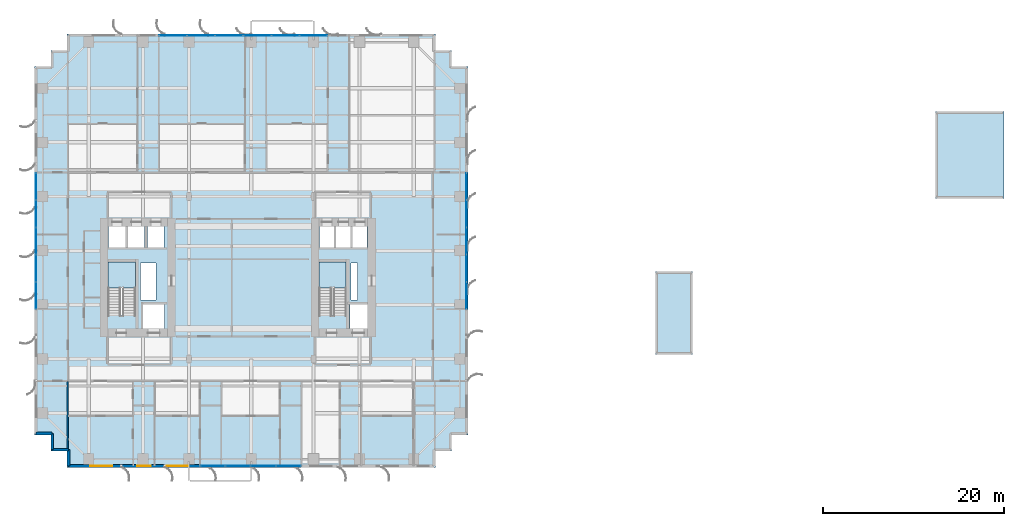
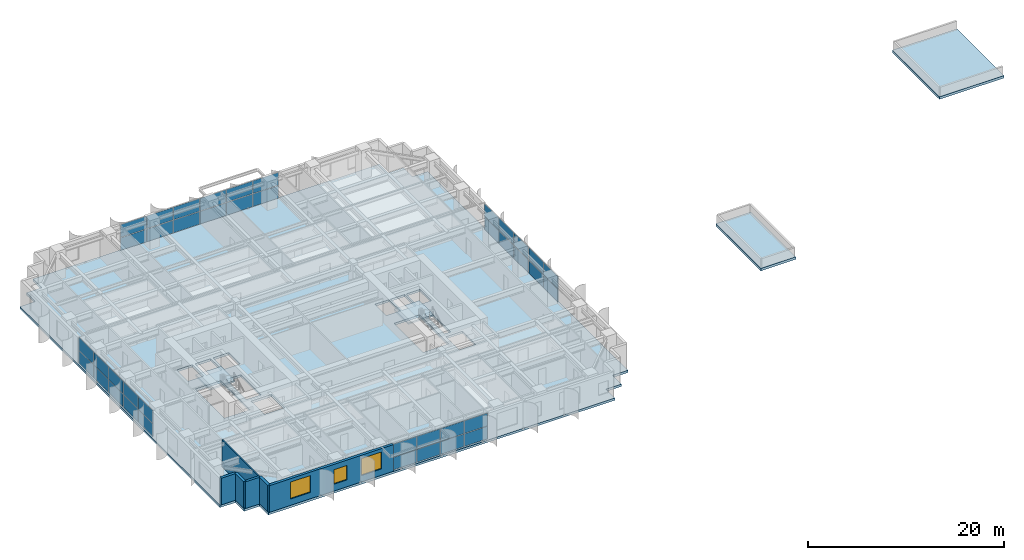
# One storey, part 15 of 26: 40 plates, 6 walls, 5 slabs, 3 windows, 3 openings, 6 elements without a shape of their own.
"""IFC4 building model written with IfcOpenShell, lengths in metres."""

import ifcopenshell
import ifcopenshell.guid

model = None  # the IFC model being written
_history = None  # IfcOwnerHistory: only IFC2X3 demands one
_inside = {}  # id of a spatial element -> (the spatial element, [elements in it])
_under = {}  # id of a project, library or spatial element -> (it, [spatial elements below it])
_declared = {}  # id of a project -> (the project, [libraries it declares])
_typed = {}  # id of a type object -> (the type object, [elements of that type])
_made_of = {}  # id of a material, layer set ... -> (it, [elements and type objects made of it])


def new_model(schema):
    """Start an empty IFC model of exactly this schema.

    Asked for "IFC4X3", IfcOpenShell would pick the latest addendum, in which some entities
    have other attributes; the version numbers below select the first issue.
    IFC2X3 requires an IfcOwnerHistory on every rooted entity: one is made here for all.
    """
    global model, _history
    if schema == "IFC4X3":
        model = ifcopenshell.file(schema_version=(4, 3, 0, 0))
    else:
        model = ifcopenshell.file(schema=schema)
    _inside.clear()
    _under.clear()
    _declared.clear()
    _typed.clear()
    _made_of.clear()
    _history = None
    if model.schema == "IFC2X3":
        org = make("IfcOrganization", Name="unknown")
        user = make(
            "IfcPersonAndOrganization",
            ThePerson=make("IfcPerson", FamilyName="unknown"),
            TheOrganization=org,
        )
        app = make(
            "IfcApplication",
            ApplicationDeveloper=org,
            Version="unknown",
            ApplicationFullName="unknown",
            ApplicationIdentifier="unknown",
        )
        _history = make(
            "IfcOwnerHistory",
            OwningUser=user,
            OwningApplication=app,
            ChangeAction="ADDED",
            CreationDate=0,
        )
    return model


def make(cls, **values):
    """One entity of the class cls with the attributes given. An attribute that is None is left unset."""
    return model.create_entity(
        cls, **{name: value for name, value in values.items() if value is not None}
    )


def rooted(cls, **values):
    """An entity with a GlobalId (a new one), such as an element, a storey or a relation."""
    return make(cls, GlobalId=ifcopenshell.guid.new(), OwnerHistory=_history, **values)


def si_unit(unit_type, name, prefix=None):
    """IfcSIUnit, for example si_unit("LENGTHUNIT", "METRE", prefix="MILLI")."""
    return make("IfcSIUnit", UnitType=unit_type, Prefix=prefix, Name=name)


def assignment(units):
    """IfcUnitAssignment: the units of a project."""
    return None if units is None else make("IfcUnitAssignment", Units=units)


def point(xyz):
    """IfcCartesianPoint."""
    return None if xyz is None else make("IfcCartesianPoint", Coordinates=xyz)


def direction(xyz):
    """IfcDirection."""
    return None if xyz is None else make("IfcDirection", DirectionRatios=xyz)


def frame(location, z_axis=None, x_axis=None):
    """IfcAxis2Placement3D, a coordinate frame: its origin and axes. An axis left out is left unset."""
    return make(
        "IfcAxis2Placement3D",
        Location=point(location),
        Axis=direction(z_axis),
        RefDirection=direction(x_axis),
    )


def frame_2d(location, x_axis=None):
    """IfcAxis2Placement2D, a coordinate frame in the plane: its origin and x axis."""
    return make(
        "IfcAxis2Placement2D", Location=point(location), RefDirection=direction(x_axis)
    )


def origin():
    """The frame at (0, 0, 0) with its axes left unset."""
    return frame((0.0, 0.0, 0.0))


def origin_2d():
    """The frame at (0, 0) in the plane with its x axis left unset."""
    return frame_2d((0.0, 0.0))


def place(relative_to, where):
    """IfcLocalPlacement: puts the frame where relative to a parent placement (None: the world)."""
    return make(
        "IfcLocalPlacement", PlacementRelTo=relative_to, RelativePlacement=where
    )


def context(
    kind, dimensions, precision=None, world=None, true_north=None, identifier=None
):
    """IfcGeometricRepresentationContext, for example the 3D "Model" context."""
    return make(
        "IfcGeometricRepresentationContext",
        ContextIdentifier=identifier,
        ContextType=kind,
        CoordinateSpaceDimension=dimensions,
        Precision=precision,
        WorldCoordinateSystem=world,
        TrueNorth=true_north,
    )


def subcontext(parent, identifier, kind, view, scale=None):
    """IfcGeometricRepresentationSubContext, for example "Body" below "Model"."""
    return make(
        "IfcGeometricRepresentationSubContext",
        ContextIdentifier=identifier,
        ContextType=kind,
        ParentContext=parent,
        TargetScale=scale,
        TargetView=view,
    )


def project(units=None, contexts=None):
    """IfcProject with its units and contexts."""
    return rooted(
        "IfcProject",
        Name="project",
        RepresentationContexts=contexts,
        UnitsInContext=assignment(units),
    )


def spatial(cls, under=None, at=None, **own):
    """A site, building, storey or space (cls), placed at a placement, below another one or the project."""
    s = rooted(cls, ObjectPlacement=at, **own)
    if under is not None:
        _under.setdefault(under.id(), (under, []))[1].append(s)
    return s


def polyline(points):
    """IfcPolyline through the points."""
    return make("IfcPolyline", Points=[point(p) for p in points])


def profile(cls, at=None, kind="AREA", **sizes):
    """A parametric profile (cls). Its sizes go by their IFC names, for example OverallWidth=200.0."""
    return make(cls, ProfileType=kind, Position=at, **sizes)


def rectangle(**sizes):
    """IfcRectangleProfileDef."""
    return profile("IfcRectangleProfileDef", **sizes)


def outline(outer, holes=None, kind="AREA"):
    """IfcArbitraryClosedProfileDef: a profile drawn as a closed curve; with holes, ...WithVoids."""
    if holes is None:
        return make("IfcArbitraryClosedProfileDef", ProfileType=kind, OuterCurve=outer)
    return make(
        "IfcArbitraryProfileDefWithVoids",
        ProfileType=kind,
        OuterCurve=outer,
        InnerCurves=holes,
    )


def extrude(swept, where, along, depth):
    """IfcExtrudedAreaSolid: the profile swept, set in the frame where, extruded along a direction by depth."""
    return make(
        "IfcExtrudedAreaSolid",
        SweptArea=swept,
        Position=where,
        ExtrudedDirection=direction(along),
        Depth=depth,
    )


def shape(context_of_items, identifier, shape_type, items):
    """IfcShapeRepresentation: the items that make up one representation, for example the "Body"."""
    return make(
        "IfcShapeRepresentation",
        ContextOfItems=context_of_items,
        RepresentationIdentifier=identifier,
        RepresentationType=shape_type,
        Items=items,
    )


def source(mapping_origin, context_of_items, identifier, shape_type, items):
    """IfcRepresentationMap: a shape defined once, which mapped items show again and again."""
    return make(
        "IfcRepresentationMap",
        MappingOrigin=mapping_origin,
        MappedRepresentation=shape(context_of_items, identifier, shape_type, items),
    )


def transform(
    local_origin,
    x_axis=None,
    y_axis=None,
    z_axis=None,
    scale=None,
    scale2=None,
    scale3=None,
    uniform=True,
):
    """IfcCartesianTransformationOperator3D, or its non-uniform kind. x_axis, y_axis, z_axis: its Axis1, 2, 3."""
    if uniform:
        return make(
            "IfcCartesianTransformationOperator3D",
            Axis1=direction(x_axis),
            Axis2=direction(y_axis),
            LocalOrigin=point(local_origin),
            Scale=scale,
            Axis3=direction(z_axis),
        )
    return make(
        "IfcCartesianTransformationOperator3DnonUniform",
        Axis1=direction(x_axis),
        Axis2=direction(y_axis),
        LocalOrigin=point(local_origin),
        Scale=scale,
        Axis3=direction(z_axis),
        Scale2=scale2,
        Scale3=scale3,
    )


def mapped(mapping_source, mapping_target):
    """IfcMappedItem: shows the shape of a source again, moved by a transform."""
    return make(
        "IfcMappedItem", MappingSource=mapping_source, MappingTarget=mapping_target
    )


def material(Name=None, Category=None):
    """IfcMaterial."""
    return make("IfcMaterial", Name=Name, Category=Category)


def layer(
    of_material, thickness, ventilated=None, Name=None, Category=None, Priority=None
):
    """IfcMaterialLayer: one layer of a wall or slab, of a material (None: an air gap)."""
    return make(
        "IfcMaterialLayer",
        Material=of_material,
        LayerThickness=thickness,
        IsVentilated=ventilated,
        Name=Name,
        Category=Category,
        Priority=Priority,
    )


def layer_set(layers, Name=None):
    """IfcMaterialLayerSet."""
    return make("IfcMaterialLayerSet", MaterialLayers=layers, LayerSetName=Name)


def made_of(thing, what):
    """Note that an element or type object is made of a material, layer set ...; save() writes the relation."""
    if what is not None:
        _made_of.setdefault(what.id(), (what, []))[1].append(thing)
    return thing


def type_object(cls, material=None, **own):
    """A type object (cls), such as IfcWallType, which elements share."""
    return made_of(rooted(cls, **own), material)


def element(
    cls,
    number,
    at=None,
    inside=None,
    cuts=None,
    type_object=None,
    material=None,
    context=None,
    identifier="Body",
    shape_type=None,
    held_by="IfcProductDefinitionShape",
    body=None,
    shapes=None,
    **own,
):
    """One element of the class cls, such as IfcWall. Its Tag is "e" and its number.

    at: its placement. inside: the storey or other place that contains it. cuts: it is an
    opening in that element (IfcRelVoidsElement). A single representation is given by context,
    identifier, shape_type and body (its items); several are given by shapes. held_by: the class
    of the entity that holds the representations. save() writes the other relations.
    """
    e = rooted(cls, Tag="e%d" % number, ObjectPlacement=at, **own)
    if body is not None:
        shapes = [shape(context, identifier, shape_type, body)]
    if shapes is not None:
        e.Representation = make(held_by, Representations=shapes)
    if inside is not None:
        _inside.setdefault(inside.id(), (inside, []))[1].append(e)
    if cuts is not None:
        rooted(
            "IfcRelVoidsElement", RelatingBuildingElement=cuts, RelatedOpeningElement=e
        )
    if type_object is not None:
        _typed.setdefault(type_object.id(), (type_object, []))[1].append(e)
    return made_of(e, material)


def fill(opening, filler):
    """IfcRelFillsElement: the door or window that sits in an opening."""
    return rooted(
        "IfcRelFillsElement",
        RelatingOpeningElement=opening,
        RelatedBuildingElement=filler,
    )


def aggregate(whole, parts):
    """IfcRelAggregates: a whole, such as a stair, and the parts it consists of."""
    return rooted("IfcRelAggregates", RelatingObject=whole, RelatedObjects=parts)


def save(model, path):
    """Write the relations noted so far, then the file.

    IfcRelAggregates (storeys below a building ...), IfcRelContainedInSpatialStructure (elements
    in a storey), IfcRelDefinesByType, IfcRelAssociatesMaterial and IfcRelDeclares: one each for
    every whole, place, type object, material and project.
    """
    for whole, parts in _under.values():
        aggregate(whole, parts)
    for where, things in _inside.values():
        rooted(
            "IfcRelContainedInSpatialStructure",
            RelatedElements=things,
            RelatingStructure=where,
        )
    for kind, things in _typed.values():
        rooted("IfcRelDefinesByType", RelatedObjects=things, RelatingType=kind)
    for what, things in _made_of.values():
        rooted("IfcRelAssociatesMaterial", RelatedObjects=things, RelatingMaterial=what)
    for by, libraries in _declared.values():
        rooted("IfcRelDeclares", RelatingContext=by, RelatedDefinitions=libraries)
    model.write(path)


model = new_model("IFC4")

# Units and contexts
model_context = context("Model", 3, precision=1e-05, world=origin(), true_north=direction((0.0, 1.0)))
body_context = subcontext(model_context, "Body", "Model", "MODEL_VIEW")
ifc_project = project(units=[si_unit("LENGTHUNIT", "METRE"), si_unit("AREAUNIT", "SQUARE_METRE"), si_unit("VOLUMEUNIT", "CUBIC_METRE"), si_unit("PLANEANGLEUNIT", "RADIAN"), si_unit("MASSUNIT", "GRAM", prefix="KILO")], contexts=[model_context])

# Site, building, storey
site_placement = place(None, origin())
site = spatial("IfcSite", under=ifc_project, at=site_placement, CompositionType="ELEMENT")
building_placement = place(site_placement, origin())
building = spatial("IfcBuilding", under=site, at=building_placement, Name="Khoralis Quay Care Tower", CompositionType="ELEMENT")
storey_placement = place(building_placement, frame((0.0, 0.0, 26.10009765625)))
storey = spatial("IfcBuildingStorey", under=building, at=storey_placement, Name="L06", CompositionType="ELEMENT", Elevation=26.10009765625)

# Stair, slab
ifc_material_1 = material(Name="Precast concrete C45/55", Category="concrete")
stair_type = type_object("IfcStairType", Name="ST-TWR-DOGLEG-1400", PredefinedType="HALF_TURN_STAIR", material=ifc_material_1)
stair_1_placement = place(storey_placement, origin())
stair_1 = element("IfcStair", 1, at=stair_1_placement, inside=storey, type_object=stair_type, Name="L06 West Core Exit Stair ST-T1", PredefinedType="HALF_TURN_STAIR")
ifc_layer_1 = layer(ifc_material_1, 0.199951171875)
ifc_layer_set_1 = layer_set([ifc_layer_1], Name="Precast concrete C45/55")
slab_type_1 = type_object("IfcSlabType", Name="SLB-LANDING-200", PredefinedType="LANDING", material=ifc_layer_set_1)
slab_1_placement = place(storey_placement, frame((0.0, 0.0, 1.599853515625)))
slab_1 = element("IfcSlab", 2, at=slab_1_placement, type_object=slab_type_1, Name="ST-T1 landing 1", PredefinedType="LANDING", context=body_context, shape_type="SweptSolid", body=[
    extrude(outline(polyline([(11.14990234375, 19.840087890625), (11.14990234375, 22.75), (8.14990234375, 22.75), (8.14990234375, 19.840087890625), (11.14990234375, 19.840087890625)])), origin(), (0.0, 0.0, 1.0), 0.199951171875),
])
aggregate(stair_1, [slab_1])

stair_2_placement = place(storey_placement, origin())
stair_2 = element("IfcStair", 3, at=stair_2_placement, inside=storey, type_object=stair_type, Name="L06 East Core Exit Stair ST-T2", PredefinedType="HALF_TURN_STAIR")
slab_2_placement = place(storey_placement, frame((0.0, 0.0, 1.599853515625)))
slab_2 = element("IfcSlab", 4, at=slab_2_placement, type_object=slab_type_1, Name="ST-T2 landing 1", PredefinedType="LANDING", context=body_context, shape_type="SweptSolid", body=[
    extrude(outline(polyline([(34.52001953125, 19.840087890625), (34.52001953125, 22.75), (31.52001953125, 22.75), (31.52001953125, 19.840087890625), (34.52001953125, 19.840087890625)])), origin(), (0.0, 0.0, 1.0), 0.199951171875),
])
aggregate(stair_2, [slab_2])

# Slabs
ifc_material_2 = material(Name="Concrete C40/50", Category="concrete")
ifc_layer_2 = layer(ifc_material_2, 0.31005859375)
ifc_layer_set_2 = layer_set([ifc_layer_2], Name="Concrete C40/50")
slab_type_2 = type_object("IfcSlabType", Name="SLB-ROOF-SCH-310", PredefinedType="ROOF", material=ifc_layer_set_2)
slab_3_placement = place(storey_placement, frame((0.0, 0.0, -0.31005859375)))
element("IfcSlab", 5, at=slab_3_placement, inside=storey, type_object=slab_type_2, Name="School Stair Head-House 1 Roof Slab", PredefinedType="ROOF", context=body_context, shape_type="SweptSolid", body=[
    extrude(outline(polyline([(68.800048828125, 12.5), (72.89990234375, 12.5), (72.89990234375, 21.699951171875), (68.800048828125, 21.699951171875), (68.800048828125, 12.5)])), origin(), (0.0, 0.0, 1.0), 0.31005859375),
])
slab_4_placement = place(storey_placement, frame((0.0, 0.0, -0.31005859375)))
element("IfcSlab", 6, at=slab_4_placement, inside=storey, type_object=slab_type_2, Name="School Stair Head-House 2 Roof Slab", PredefinedType="ROOF", context=body_context, shape_type="SweptSolid", body=[
    extrude(outline(polyline([(99.800048828125, 29.800048828125), (107.39990234375, 29.800048828125), (107.39990234375, 39.39990234375), (99.800048828125, 39.39990234375), (99.800048828125, 29.800048828125)])), origin(), (0.0, 0.0, 1.0), 0.31005859375),
])
ifc_layer_3 = layer(ifc_material_2, 0.280029296875)
ifc_layer_set_3 = layer_set([ifc_layer_3], Name="Concrete C40/50")
slab_type_3 = type_object("IfcSlabType", Name="SLB-TWR-280", PredefinedType="FLOOR", material=ifc_layer_set_3)
slab_5_placement = place(storey_placement, frame((0.0, 0.0, -0.280029296875)))
element("IfcSlab", 7, at=slab_5_placement, inside=storey, type_object=slab_type_3, Name="Tower Floor Slab L06", PredefinedType="FLOOR", context=body_context, shape_type="SweptSolid", body=[
    extrude(outline(polyline([(3.60009765625, 0.0), (44.39990234375, 0.0), (44.39990234375, 1.800048828125), (46.199951171875, 1.800048828125), (46.199951171875, 3.60009765625), (48.0, 3.60009765625), (48.0, 44.39990234375), (46.199951171875, 44.39990234375), (46.199951171875, 46.199951171875), (44.39990234375, 46.199951171875), (44.39990234375, 48.0), (3.60009765625, 48.0), (3.60009765625, 46.199951171875), (1.800048828125, 46.199951171875), (1.800048828125, 44.39990234375), (0.0, 44.39990234375), (0.0, 3.60009765625), (1.800048828125, 3.60009765625), (1.800048828125, 1.800048828125), (3.60009765625, 1.800048828125), (3.60009765625, 0.0)]), holes=[polyline([(11.14990234375, 16.800048828125), (11.14990234375, 22.75), (8.14990234375, 22.75), (8.14990234375, 16.800048828125), (11.14990234375, 16.800048828125)]), polyline([(34.52001953125, 16.800048828125), (34.52001953125, 22.75), (31.52001953125, 22.75), (31.52001953125, 16.800048828125), (34.52001953125, 16.800048828125)]), polyline([(12.0, 15.35009765625), (14.39990234375, 15.35009765625), (14.39990234375, 18.050048828125), (12.0, 18.050048828125), (12.0, 15.35009765625)]), polyline([(34.919921875, 15.35009765625), (36.8798828125, 15.35009765625), (36.8798828125, 18.050048828125), (34.919921875, 18.050048828125), (34.919921875, 15.35009765625)]), polyline([(8.199951171875, 24.35009765625), (10.050048828125, 24.35009765625), (10.050048828125, 26.64990234375), (8.199951171875, 26.64990234375), (8.199951171875, 24.35009765625)]), polyline([(31.550048828125, 24.35009765625), (33.199951171875, 24.35009765625), (33.199951171875, 26.64990234375), (31.550048828125, 26.64990234375), (31.550048828125, 24.35009765625)]), polyline([(10.35009765625, 24.35009765625), (12.199951171875, 24.35009765625), (12.199951171875, 26.64990234375), (10.35009765625, 26.64990234375), (10.35009765625, 24.35009765625)]), polyline([(33.3798828125, 24.35009765625), (35.030029296875, 24.35009765625), (35.030029296875, 26.64990234375), (33.3798828125, 26.64990234375), (33.3798828125, 24.35009765625)]), polyline([(12.5, 24.35009765625), (14.35009765625, 24.35009765625), (14.35009765625, 26.64990234375), (12.5, 26.64990234375), (12.5, 24.35009765625)]), polyline([(35.199951171875, 24.35009765625), (36.85009765625, 24.35009765625), (36.85009765625, 26.64990234375), (35.199951171875, 26.64990234375), (35.199951171875, 24.35009765625)]), polyline([(11.719970703125, 18.550048828125), (13.449951171875, 18.550048828125), (13.449951171875, 22.64990234375), (11.719970703125, 22.64990234375), (11.719970703125, 18.550048828125)]), polyline([(35.050048828125, 18.550048828125), (35.75, 18.550048828125), (35.75, 22.64990234375), (35.050048828125, 22.64990234375), (35.050048828125, 18.550048828125)])]), origin(), (0.0, 0.0, 1.0), 0.280029296875),
])

# Curtain wall, plates
ifc_material_3 = material(Name="Pale anodised aluminium", Category="aluminium")
ifc_layer_4 = layer(ifc_material_3, 0.179931640625)
ifc_layer_set_4 = layer_set([ifc_layer_4], Name="Pale anodised aluminium")
curtain_wall_type = type_object("IfcCurtainWallType", Name="CW-SYS-Z1", PredefinedType="NOTDEFINED", material=ifc_layer_set_4)
curtain_wall_1_placement = place(storey_placement, origin())
curtain_wall_1 = element("IfcCurtainWall", 8, at=curtain_wall_1_placement, inside=storey, type_object=curtain_wall_type, Name="L06 Unitised Curtain Wall CW-L06-P1-E0", PredefinedType="NOTDEFINED")
ifc_material_4 = material(Name="Low-E solar-control double glazing", Category="glass")
ifc_layer_5 = layer(ifc_material_4, 0.031982421875)
ifc_layer_set_5 = layer_set([ifc_layer_5], Name="Low-E solar-control double glazing")
plate_type = type_object("IfcPlateType", Name="PNL-VIS-32", PredefinedType="CURTAIN_PANEL", material=ifc_layer_set_5)
shared_shape_1 = source(origin(), body_context, "Body", "SweptSolid", [
    extrude(rectangle(XDim=2.71240234375, YDim=0.028076171875, at=origin_2d()), origin(), (0.0, 0.0, 1.0), 1.570068359375),
])
plate_1_placement = place(storey_placement, frame((19.736328125, 0.14990234375, 0.06005859375), z_axis=(0.0, 0.0, 1.0), x_axis=(1.0, 0.0, 0.0)))
plate_1 = element("IfcPlate", 9, at=plate_1_placement, type_object=plate_type, Name="CW1 panel 1.1", PredefinedType="CURTAIN_PANEL", context=body_context, shape_type="MappedRepresentation", body=[
    mapped(shared_shape_1, transform((0.0, 0.0, 0.0), scale=1.0)),
])
plate_2_placement = place(storey_placement, frame((19.736328125, 0.14990234375, 1.68994140625), z_axis=(0.0, 0.0, 1.0), x_axis=(1.0, 0.0, 0.0)))
plate_2 = element("IfcPlate", 10, at=plate_2_placement, type_object=plate_type, Name="CW1 panel 1.2", PredefinedType="CURTAIN_PANEL", context=body_context, shape_type="MappedRepresentation", body=[
    mapped(shared_shape_1, transform((0.0, 0.0, 0.0), scale=1.0)),
])
plate_3_placement = place(storey_placement, frame((28.11376953125, 0.14990234375, 0.06005859375), z_axis=(0.0, 0.0, 1.0), x_axis=(1.0, 0.0, 0.0)))
plate_3 = element("IfcPlate", 11, at=plate_3_placement, type_object=plate_type, Name="CW1 panel 4.1", PredefinedType="CURTAIN_PANEL", context=body_context, shape_type="MappedRepresentation", body=[
    mapped(shared_shape_1, transform((0.0, 0.0, 0.0), scale=1.0)),
])
plate_4_placement = place(storey_placement, frame((28.11376953125, 0.14990234375, 1.68994140625), z_axis=(0.0, 0.0, 1.0), x_axis=(1.0, 0.0, 0.0)))
plate_4 = element("IfcPlate", 12, at=plate_4_placement, type_object=plate_type, Name="CW1 panel 4.2", PredefinedType="CURTAIN_PANEL", context=body_context, shape_type="MappedRepresentation", body=[
    mapped(shared_shape_1, transform((0.0, 0.0, 0.0), scale=1.0)),
])
shared_shape_2 = source(origin(), body_context, "Body", "SweptSolid", [
    extrude(rectangle(XDim=2.742431640625, YDim=0.028076171875, at=origin_2d()), origin(), (0.0, 0.0, 1.0), 1.570068359375),
])
plate_5_placement = place(storey_placement, frame((22.523681640625, 0.14990234375, 0.06005859375), z_axis=(0.0, 0.0, 1.0), x_axis=(1.0, 0.0, 0.0)))
plate_5 = element("IfcPlate", 13, at=plate_5_placement, type_object=plate_type, Name="CW1 panel 2.1", PredefinedType="CURTAIN_PANEL", context=body_context, shape_type="MappedRepresentation", body=[
    mapped(shared_shape_2, transform((0.0, 0.0, 0.0), scale=1.0)),
])
plate_6_placement = place(storey_placement, frame((22.523681640625, 0.14990234375, 1.68994140625), z_axis=(0.0, 0.0, 1.0), x_axis=(1.0, 0.0, 0.0)))
plate_6 = element("IfcPlate", 14, at=plate_6_placement, type_object=plate_type, Name="CW1 panel 2.2", PredefinedType="CURTAIN_PANEL", context=body_context, shape_type="MappedRepresentation", body=[
    mapped(shared_shape_2, transform((0.0, 0.0, 0.0), scale=1.0)),
])
plate_7_placement = place(storey_placement, frame((25.326171875, 0.14990234375, 0.06005859375), z_axis=(0.0, 0.0, 1.0), x_axis=(1.0, 0.0, 0.0)))
plate_7 = element("IfcPlate", 15, at=plate_7_placement, type_object=plate_type, Name="CW1 panel 3.1", PredefinedType="CURTAIN_PANEL", context=body_context, shape_type="MappedRepresentation", body=[
    mapped(shared_shape_2, transform((0.0, 0.0, 0.0), scale=1.0)),
])
plate_8_placement = place(storey_placement, frame((25.326171875, 0.14990234375, 1.68994140625), z_axis=(0.0, 0.0, 1.0), x_axis=(1.0, 0.0, 0.0)))
plate_8 = element("IfcPlate", 16, at=plate_8_placement, type_object=plate_type, Name="CW1 panel 3.2", PredefinedType="CURTAIN_PANEL", context=body_context, shape_type="MappedRepresentation", body=[
    mapped(shared_shape_2, transform((0.0, 0.0, 0.0), scale=1.0)),
])
aggregate(curtain_wall_1, [plate_1, plate_2, plate_5, plate_6, plate_7, plate_8, plate_3, plate_4])

curtain_wall_2_placement = place(storey_placement, origin())
curtain_wall_2 = element("IfcCurtainWall", 17, at=curtain_wall_2_placement, inside=storey, type_object=curtain_wall_type, Name="L06 Unitised Curtain Wall CW-L06-P1-E5", PredefinedType="NOTDEFINED")
shared_shape_3 = source(origin(), body_context, "Body", "SweptSolid", [
    extrude(rectangle(XDim=2.93798828125, YDim=0.028076171875, at=origin_2d()), origin(), (0.0, 0.0, 1.0), 1.570068359375),
])
plate_9_placement = place(storey_placement, frame((47.85009765625, 19.029052734375, 0.06005859375), z_axis=(0.0, 0.0, 1.0), x_axis=(0.0, 1.0, 0.0)))
plate_9 = element("IfcPlate", 18, at=plate_9_placement, type_object=plate_type, Name="CW1 panel 1.1", PredefinedType="CURTAIN_PANEL", context=body_context, shape_type="MappedRepresentation", body=[
    mapped(shared_shape_3, transform((0.0, 0.0, 0.0), scale=1.0)),
])
plate_10_placement = place(storey_placement, frame((47.85009765625, 19.029052734375, 1.68994140625), z_axis=(0.0, 0.0, 1.0), x_axis=(0.0, 1.0, 0.0)))
plate_10 = element("IfcPlate", 19, at=plate_10_placement, type_object=plate_type, Name="CW1 panel 1.2", PredefinedType="CURTAIN_PANEL", context=body_context, shape_type="MappedRepresentation", body=[
    mapped(shared_shape_3, transform((0.0, 0.0, 0.0), scale=1.0)),
])
plate_11_placement = place(storey_placement, frame((47.85009765625, 31.111083984375, 0.06005859375), z_axis=(0.0, 0.0, 1.0), x_axis=(0.0, 1.0, 0.0)))
plate_11 = element("IfcPlate", 20, at=plate_11_placement, type_object=plate_type, Name="CW1 panel 5.1", PredefinedType="CURTAIN_PANEL", context=body_context, shape_type="MappedRepresentation", body=[
    mapped(shared_shape_3, transform((0.0, 0.0, 0.0), scale=1.0)),
])
plate_12_placement = place(storey_placement, frame((47.85009765625, 31.111083984375, 1.68994140625), z_axis=(0.0, 0.0, 1.0), x_axis=(0.0, 1.0, 0.0)))
plate_12 = element("IfcPlate", 21, at=plate_12_placement, type_object=plate_type, Name="CW1 panel 5.2", PredefinedType="CURTAIN_PANEL", context=body_context, shape_type="MappedRepresentation", body=[
    mapped(shared_shape_3, transform((0.0, 0.0, 0.0), scale=1.0)),
])

curtain_wall_3_placement = place(storey_placement, origin())
curtain_wall_3 = element("IfcCurtainWall", 22, at=curtain_wall_3_placement, inside=storey, type_object=curtain_wall_type, Name="L06 Unitised Curtain Wall CW-L06-P1-E15", PredefinedType="NOTDEFINED")
plate_13_placement = place(storey_placement, frame((0.14990234375, 31.111083984375, 0.06005859375), z_axis=(0.0, 0.0, 1.0), x_axis=(0.0, -1.0, 0.0)))
plate_13 = element("IfcPlate", 23, at=plate_13_placement, type_object=plate_type, Name="CW1 panel 1.1", PredefinedType="CURTAIN_PANEL", context=body_context, shape_type="MappedRepresentation", body=[
    mapped(shared_shape_3, transform((0.0, 0.0, 0.0), scale=1.0)),
])
plate_14_placement = place(storey_placement, frame((0.14990234375, 31.111083984375, 1.68994140625), z_axis=(0.0, 0.0, 1.0), x_axis=(0.0, -1.0, 0.0)))
plate_14 = element("IfcPlate", 24, at=plate_14_placement, type_object=plate_type, Name="CW1 panel 1.2", PredefinedType="CURTAIN_PANEL", context=body_context, shape_type="MappedRepresentation", body=[
    mapped(shared_shape_3, transform((0.0, 0.0, 0.0), scale=1.0)),
])
plate_15_placement = place(storey_placement, frame((0.14990234375, 19.029052734375, 0.06005859375), z_axis=(0.0, 0.0, 1.0), x_axis=(0.0, -1.0, 0.0)))
plate_15 = element("IfcPlate", 25, at=plate_15_placement, type_object=plate_type, Name="CW1 panel 5.1", PredefinedType="CURTAIN_PANEL", context=body_context, shape_type="MappedRepresentation", body=[
    mapped(shared_shape_3, transform((0.0, 0.0, 0.0), scale=1.0)),
])
plate_16_placement = place(storey_placement, frame((0.14990234375, 19.029052734375, 1.68994140625), z_axis=(0.0, 0.0, 1.0), x_axis=(0.0, -1.0, 0.0)))
plate_16 = element("IfcPlate", 26, at=plate_16_placement, type_object=plate_type, Name="CW1 panel 5.2", PredefinedType="CURTAIN_PANEL", context=body_context, shape_type="MappedRepresentation", body=[
    mapped(shared_shape_3, transform((0.0, 0.0, 0.0), scale=1.0)),
])

# Plate
shared_shape_4 = source(origin(), body_context, "Body", "SweptSolid", [
    extrude(rectangle(XDim=2.968017578125, YDim=0.028076171875, at=origin_2d()), origin(), (0.0, 0.0, 1.0), 1.570068359375),
])
plate_17_placement = place(storey_placement, frame((47.85009765625, 22.0419921875, 0.06005859375), z_axis=(0.0, 0.0, 1.0), x_axis=(0.0, 1.0, 0.0)))
plate_17 = element("IfcPlate", 27, at=plate_17_placement, type_object=plate_type, Name="CW1 panel 2.1", PredefinedType="CURTAIN_PANEL", context=body_context, shape_type="MappedRepresentation", body=[
    mapped(shared_shape_4, transform((0.0, 0.0, 0.0), scale=1.0)),
])

plate_18_placement = place(storey_placement, frame((47.85009765625, 22.0419921875, 1.68994140625), z_axis=(0.0, 0.0, 1.0), x_axis=(0.0, 1.0, 0.0)))
plate_18 = element("IfcPlate", 28, at=plate_18_placement, type_object=plate_type, Name="CW1 panel 2.2", PredefinedType="CURTAIN_PANEL", context=body_context, shape_type="MappedRepresentation", body=[
    mapped(shared_shape_4, transform((0.0, 0.0, 0.0), scale=1.0)),
])

plate_19_placement = place(storey_placement, frame((47.85009765625, 25.070068359375, 0.06005859375), z_axis=(0.0, 0.0, 1.0), x_axis=(0.0, 1.0, 0.0)))
plate_19 = element("IfcPlate", 29, at=plate_19_placement, type_object=plate_type, Name="CW1 panel 3.1", PredefinedType="CURTAIN_PANEL", context=body_context, shape_type="MappedRepresentation", body=[
    mapped(shared_shape_4, transform((0.0, 0.0, 0.0), scale=1.0)),
])

plate_20_placement = place(storey_placement, frame((47.85009765625, 25.070068359375, 1.68994140625), z_axis=(0.0, 0.0, 1.0), x_axis=(0.0, 1.0, 0.0)))
plate_20 = element("IfcPlate", 30, at=plate_20_placement, type_object=plate_type, Name="CW1 panel 3.2", PredefinedType="CURTAIN_PANEL", context=body_context, shape_type="MappedRepresentation", body=[
    mapped(shared_shape_4, transform((0.0, 0.0, 0.0), scale=1.0)),
])

plate_21_placement = place(storey_placement, frame((47.85009765625, 28.097900390625, 0.06005859375), z_axis=(0.0, 0.0, 1.0), x_axis=(0.0, 1.0, 0.0)))
plate_21 = element("IfcPlate", 31, at=plate_21_placement, type_object=plate_type, Name="CW1 panel 4.1", PredefinedType="CURTAIN_PANEL", context=body_context, shape_type="MappedRepresentation", body=[
    mapped(shared_shape_4, transform((0.0, 0.0, 0.0), scale=1.0)),
])

plate_22_placement = place(storey_placement, frame((47.85009765625, 28.097900390625, 1.68994140625), z_axis=(0.0, 0.0, 1.0), x_axis=(0.0, 1.0, 0.0)))
plate_22 = element("IfcPlate", 32, at=plate_22_placement, type_object=plate_type, Name="CW1 panel 4.2", PredefinedType="CURTAIN_PANEL", context=body_context, shape_type="MappedRepresentation", body=[
    mapped(shared_shape_4, transform((0.0, 0.0, 0.0), scale=1.0)),
])

aggregate(curtain_wall_2, [plate_9, plate_10, plate_17, plate_18, plate_19, plate_20, plate_21, plate_22, plate_11, plate_12])

plate_23_placement = place(storey_placement, frame((0.14990234375, 28.097900390625, 0.06005859375), z_axis=(0.0, 0.0, 1.0), x_axis=(0.0, -1.0, 0.0)))
plate_23 = element("IfcPlate", 33, at=plate_23_placement, type_object=plate_type, Name="CW1 panel 2.1", PredefinedType="CURTAIN_PANEL", context=body_context, shape_type="MappedRepresentation", body=[
    mapped(shared_shape_4, transform((0.0, 0.0, 0.0), scale=1.0)),
])

plate_24_placement = place(storey_placement, frame((0.14990234375, 28.097900390625, 1.68994140625), z_axis=(0.0, 0.0, 1.0), x_axis=(0.0, -1.0, 0.0)))
plate_24 = element("IfcPlate", 34, at=plate_24_placement, type_object=plate_type, Name="CW1 panel 2.2", PredefinedType="CURTAIN_PANEL", context=body_context, shape_type="MappedRepresentation", body=[
    mapped(shared_shape_4, transform((0.0, 0.0, 0.0), scale=1.0)),
])

plate_25_placement = place(storey_placement, frame((0.14990234375, 25.070068359375, 0.06005859375), z_axis=(0.0, 0.0, 1.0), x_axis=(0.0, -1.0, 0.0)))
plate_25 = element("IfcPlate", 35, at=plate_25_placement, type_object=plate_type, Name="CW1 panel 3.1", PredefinedType="CURTAIN_PANEL", context=body_context, shape_type="MappedRepresentation", body=[
    mapped(shared_shape_4, transform((0.0, 0.0, 0.0), scale=1.0)),
])

plate_26_placement = place(storey_placement, frame((0.14990234375, 25.070068359375, 1.68994140625), z_axis=(0.0, 0.0, 1.0), x_axis=(0.0, -1.0, 0.0)))
plate_26 = element("IfcPlate", 36, at=plate_26_placement, type_object=plate_type, Name="CW1 panel 3.2", PredefinedType="CURTAIN_PANEL", context=body_context, shape_type="MappedRepresentation", body=[
    mapped(shared_shape_4, transform((0.0, 0.0, 0.0), scale=1.0)),
])

plate_27_placement = place(storey_placement, frame((0.14990234375, 22.0419921875, 0.06005859375), z_axis=(0.0, 0.0, 1.0), x_axis=(0.0, -1.0, 0.0)))
plate_27 = element("IfcPlate", 37, at=plate_27_placement, type_object=plate_type, Name="CW1 panel 4.1", PredefinedType="CURTAIN_PANEL", context=body_context, shape_type="MappedRepresentation", body=[
    mapped(shared_shape_4, transform((0.0, 0.0, 0.0), scale=1.0)),
])

plate_28_placement = place(storey_placement, frame((0.14990234375, 22.0419921875, 1.68994140625), z_axis=(0.0, 0.0, 1.0), x_axis=(0.0, -1.0, 0.0)))
plate_28 = element("IfcPlate", 38, at=plate_28_placement, type_object=plate_type, Name="CW1 panel 4.2", PredefinedType="CURTAIN_PANEL", context=body_context, shape_type="MappedRepresentation", body=[
    mapped(shared_shape_4, transform((0.0, 0.0, 0.0), scale=1.0)),
])

aggregate(curtain_wall_3, [plate_13, plate_14, plate_23, plate_24, plate_25, plate_26, plate_27, plate_28, plate_15, plate_16])

# Curtain wall, plates
curtain_wall_4_placement = place(storey_placement, origin())
curtain_wall_4 = element("IfcCurtainWall", 39, at=curtain_wall_4_placement, inside=storey, type_object=curtain_wall_type, Name="L06 Unitised Curtain Wall CW-L06-P1-E10", PredefinedType="NOTDEFINED")
shared_shape_5 = source(origin(), body_context, "Body", "SweptSolid", [
    extrude(rectangle(XDim=3.030029296875, YDim=0.028076171875, at=origin_2d()), origin(), (0.0, 0.0, 1.0), 1.570068359375),
])
plate_29_placement = place(storey_placement, frame((30.905029296875, 47.85009765625, 0.06005859375), z_axis=(0.0, 0.0, 1.0), x_axis=(-1.0, 0.0, 0.0)))
plate_29 = element("IfcPlate", 40, at=plate_29_placement, type_object=plate_type, Name="CW1 panel 1.1", PredefinedType="CURTAIN_PANEL", context=body_context, shape_type="MappedRepresentation", body=[
    mapped(shared_shape_5, transform((0.0, 0.0, 0.0), scale=1.0)),
])
plate_30_placement = place(storey_placement, frame((30.905029296875, 47.85009765625, 1.68994140625), z_axis=(0.0, 0.0, 1.0), x_axis=(-1.0, 0.0, 0.0)))
plate_30 = element("IfcPlate", 41, at=plate_30_placement, type_object=plate_type, Name="CW1 panel 1.2", PredefinedType="CURTAIN_PANEL", context=body_context, shape_type="MappedRepresentation", body=[
    mapped(shared_shape_5, transform((0.0, 0.0, 0.0), scale=1.0)),
])
plate_31_placement = place(storey_placement, frame((15.3349609375, 47.85009765625, 0.06005859375), z_axis=(0.0, 0.0, 1.0), x_axis=(-1.0, 0.0, 0.0)))
plate_31 = element("IfcPlate", 42, at=plate_31_placement, type_object=plate_type, Name="CW1 panel 6.1", PredefinedType="CURTAIN_PANEL", context=body_context, shape_type="MappedRepresentation", body=[
    mapped(shared_shape_5, transform((0.0, 0.0, 0.0), scale=1.0)),
])
plate_32_placement = place(storey_placement, frame((15.3349609375, 47.85009765625, 1.68994140625), z_axis=(0.0, 0.0, 1.0), x_axis=(-1.0, 0.0, 0.0)))
plate_32 = element("IfcPlate", 43, at=plate_32_placement, type_object=plate_type, Name="CW1 panel 6.2", PredefinedType="CURTAIN_PANEL", context=body_context, shape_type="MappedRepresentation", body=[
    mapped(shared_shape_5, transform((0.0, 0.0, 0.0), scale=1.0)),
])
shared_shape_6 = source(origin(), body_context, "Body", "SweptSolid", [
    extrude(rectangle(XDim=3.06005859375, YDim=0.028076171875, at=origin_2d()), origin(), (0.0, 0.0, 1.0), 1.570068359375),
])
plate_33_placement = place(storey_placement, frame((27.800048828125, 47.85009765625, 0.06005859375), z_axis=(0.0, 0.0, 1.0), x_axis=(-1.0, 0.0, 0.0)))
plate_33 = element("IfcPlate", 44, at=plate_33_placement, type_object=plate_type, Name="CW1 panel 2.1", PredefinedType="CURTAIN_PANEL", context=body_context, shape_type="MappedRepresentation", body=[
    mapped(shared_shape_6, transform((0.0, 0.0, 0.0), scale=1.0)),
])
plate_34_placement = place(storey_placement, frame((27.800048828125, 47.85009765625, 1.68994140625), z_axis=(0.0, 0.0, 1.0), x_axis=(-1.0, 0.0, 0.0)))
plate_34 = element("IfcPlate", 45, at=plate_34_placement, type_object=plate_type, Name="CW1 panel 2.2", PredefinedType="CURTAIN_PANEL", context=body_context, shape_type="MappedRepresentation", body=[
    mapped(shared_shape_6, transform((0.0, 0.0, 0.0), scale=1.0)),
])
plate_35_placement = place(storey_placement, frame((24.679931640625, 47.85009765625, 0.06005859375), z_axis=(0.0, 0.0, 1.0), x_axis=(-1.0, 0.0, 0.0)))
plate_35 = element("IfcPlate", 46, at=plate_35_placement, type_object=plate_type, Name="CW1 panel 3.1", PredefinedType="CURTAIN_PANEL", context=body_context, shape_type="MappedRepresentation", body=[
    mapped(shared_shape_6, transform((0.0, 0.0, 0.0), scale=1.0)),
])
plate_36_placement = place(storey_placement, frame((24.679931640625, 47.85009765625, 1.68994140625), z_axis=(0.0, 0.0, 1.0), x_axis=(-1.0, 0.0, 0.0)))
plate_36 = element("IfcPlate", 47, at=plate_36_placement, type_object=plate_type, Name="CW1 panel 3.2", PredefinedType="CURTAIN_PANEL", context=body_context, shape_type="MappedRepresentation", body=[
    mapped(shared_shape_6, transform((0.0, 0.0, 0.0), scale=1.0)),
])
plate_37_placement = place(storey_placement, frame((21.56005859375, 47.85009765625, 0.06005859375), z_axis=(0.0, 0.0, 1.0), x_axis=(-1.0, 0.0, 0.0)))
plate_37 = element("IfcPlate", 48, at=plate_37_placement, type_object=plate_type, Name="CW1 panel 4.1", PredefinedType="CURTAIN_PANEL", context=body_context, shape_type="MappedRepresentation", body=[
    mapped(shared_shape_6, transform((0.0, 0.0, 0.0), scale=1.0)),
])
plate_38_placement = place(storey_placement, frame((21.56005859375, 47.85009765625, 1.68994140625), z_axis=(0.0, 0.0, 1.0), x_axis=(-1.0, 0.0, 0.0)))
plate_38 = element("IfcPlate", 49, at=plate_38_placement, type_object=plate_type, Name="CW1 panel 4.2", PredefinedType="CURTAIN_PANEL", context=body_context, shape_type="MappedRepresentation", body=[
    mapped(shared_shape_6, transform((0.0, 0.0, 0.0), scale=1.0)),
])
plate_39_placement = place(storey_placement, frame((18.43994140625, 47.85009765625, 0.06005859375), z_axis=(0.0, 0.0, 1.0), x_axis=(-1.0, 0.0, 0.0)))
plate_39 = element("IfcPlate", 50, at=plate_39_placement, type_object=plate_type, Name="CW1 panel 5.1", PredefinedType="CURTAIN_PANEL", context=body_context, shape_type="MappedRepresentation", body=[
    mapped(shared_shape_6, transform((0.0, 0.0, 0.0), scale=1.0)),
])
plate_40_placement = place(storey_placement, frame((18.43994140625, 47.85009765625, 1.68994140625), z_axis=(0.0, 0.0, 1.0), x_axis=(-1.0, 0.0, 0.0)))
plate_40 = element("IfcPlate", 51, at=plate_40_placement, type_object=plate_type, Name="CW1 panel 5.2", PredefinedType="CURTAIN_PANEL", context=body_context, shape_type="MappedRepresentation", body=[
    mapped(shared_shape_6, transform((0.0, 0.0, 0.0), scale=1.0)),
])
aggregate(curtain_wall_4, [plate_29, plate_30, plate_33, plate_34, plate_35, plate_36, plate_37, plate_38, plate_39, plate_40, plate_31, plate_32])

# Wall, openings, windows
ifc_layer_6 = layer(ifc_material_1, 0.300048828125)
ifc_layer_set_6 = layer_set([ifc_layer_6], Name="Precast concrete C45/55")
wall_type_1 = type_object("IfcWallType", Name="WL-EXT-REF-300", PredefinedType="SOLIDWALL", material=ifc_layer_set_6)
wall_1_placement = place(storey_placement, frame((3.75, 0.14990234375, 0.0), z_axis=(0.0, 0.0, 1.0), x_axis=(1.0, 0.0, 0.0)))
wall_1 = element("IfcWall", 52, at=wall_1_placement, inside=storey, type_object=wall_type_1, Name="L06 External Facade Wall WL-EXT-L06-P1-E0A", PredefinedType="SOLIDWALL", context=body_context, shape_type="SweptSolid", body=[
    extrude(rectangle(XDim=14.570068359375, YDim=0.300048828125, at=frame_2d((7.28515625, 0.0))), origin(), (0.0, 0.0, 1.0), 3.31982421875),
])
opening_1_placement = place(wall_1_placement, frame((2.43505859375, 0.0, 0.800048828125)))
opening_1 = element("IfcOpeningElement", 53, at=opening_1_placement, cuts=wall_1, Name="Opening W1", PredefinedType="OPENING", context=body_context, shape_type="SweptSolid", body=[
    extrude(rectangle(XDim=2.39990234375, YDim=2.10009765625, at=frame_2d((1.199951171875, 1.050048828125))), frame((0.0, 0.16015625, 0.0), z_axis=(0.0, -1.0, 0.0), x_axis=(1.0, 0.0, 0.0)), (0.0, 0.0, 1.0), 0.320068359375),
])
opening_2_placement = place(wall_1_placement, frame((7.594970703125, 0.0, 0.85009765625)))
opening_2 = element("IfcOpeningElement", 54, at=opening_2_placement, cuts=wall_1, Name="Opening W3", PredefinedType="OPENING", context=body_context, shape_type="SweptSolid", body=[
    extrude(rectangle(XDim=1.5, YDim=1.800048828125, at=frame_2d((0.75, 0.89990234375))), frame((0.0, 0.16015625, 0.0), z_axis=(0.0, -1.0, 0.0), x_axis=(1.0, 0.0, 0.0)), (0.0, 0.0, 1.0), 0.320068359375),
])
opening_3_placement = place(wall_1_placement, frame((10.794921875, 0.0, 0.800048828125)))
opening_3 = element("IfcOpeningElement", 55, at=opening_3_placement, cuts=wall_1, Name="Opening W1", PredefinedType="OPENING", context=body_context, shape_type="SweptSolid", body=[
    extrude(rectangle(XDim=2.39990234375, YDim=2.10009765625, at=frame_2d((1.199951171875, 1.050048828125))), frame((0.0, 0.16015625, 0.0), z_axis=(0.0, -1.0, 0.0), x_axis=(1.0, 0.0, 0.0)), (0.0, 0.0, 1.0), 0.320068359375),
])
window_type_1 = type_object("IfcWindowType", Name="WN-CLIN-1500X1800", PartitioningType="SINGLE_PANEL", PredefinedType="WINDOW", material=ifc_material_4)
shared_shape_7 = source(origin(), body_context, "Body", "SweptSolid", [
    extrude(rectangle(XDim=1.5, YDim=1.800048828125, at=frame_2d((0.75, 0.89990234375))), frame((0.0, 0.030029296875, 0.0), z_axis=(0.0, -1.0, 0.0), x_axis=(1.0, 0.0, 0.0)), (0.0, 0.0, 1.0), 0.06005859375),
])
window_1_placement = place(opening_2_placement, origin())
window_1 = element("IfcWindow", 56, at=window_1_placement, inside=storey, type_object=window_type_1, Name="WN-L06-P1-E0A Facade Window 02", OverallHeight=1.800048828125, OverallWidth=1.5, PartitioningType="SINGLE_PANEL", PredefinedType="WINDOW", context=body_context, shape_type="MappedRepresentation", body=[
    mapped(shared_shape_7, transform((0.0, 0.0, 0.0), scale=1.0)),
])
fill(opening_2, window_1)
window_type_2 = type_object("IfcWindowType", Name="WN-POD-2400X2100", PartitioningType="SINGLE_PANEL", PredefinedType="WINDOW", material=ifc_material_4)
shared_shape_8 = source(origin(), body_context, "Body", "SweptSolid", [
    extrude(rectangle(XDim=2.39990234375, YDim=2.10009765625, at=frame_2d((1.199951171875, 1.050048828125))), frame((0.0, 0.030029296875, 0.0), z_axis=(0.0, -1.0, 0.0), x_axis=(1.0, 0.0, 0.0)), (0.0, 0.0, 1.0), 0.06005859375),
])
window_2_placement = place(opening_1_placement, origin())
window_2 = element("IfcWindow", 57, at=window_2_placement, inside=storey, type_object=window_type_2, Name="WN-L06-P1-E0A Facade Window 01", OverallHeight=2.10009765625, OverallWidth=2.39990234375, PartitioningType="SINGLE_PANEL", PredefinedType="WINDOW", context=body_context, shape_type="MappedRepresentation", body=[
    mapped(shared_shape_8, transform((0.0, 0.0, 0.0), scale=1.0)),
])
fill(opening_1, window_2)
window_3_placement = place(opening_3_placement, origin())
window_3 = element("IfcWindow", 58, at=window_3_placement, inside=storey, type_object=window_type_2, Name="WN-L06-P1-E0A Facade Window 03", OverallHeight=2.10009765625, OverallWidth=2.39990234375, PartitioningType="SINGLE_PANEL", PredefinedType="WINDOW", context=body_context, shape_type="MappedRepresentation", body=[
    mapped(shared_shape_8, transform((0.0, 0.0, 0.0), scale=1.0)),
])
fill(opening_3, window_3)

# Walls
for number, where, z_axis, x_axis, name in (
    (59, (0.14990234375, 3.75, 0.0), (0.0, 0.0, 1.0), (1.0, 0.0, 0.0), "L06 External Facade Wall WL-EXT-L06-P1-C16"),
    (60, (1.949951171875, 3.75, 0.0), (0.0, 0.0, 1.0), (0.0, -1.0, 0.0), "L06 External Facade Wall WL-EXT-L06-P1-C17"),
    (61, (1.949951171875, 1.949951171875, 0.0), (0.0, 0.0, 1.0), (1.0, 0.0, 0.0), "L06 External Facade Wall WL-EXT-L06-P1-C18"),
    (62, (3.75, 1.949951171875, 0.0), (0.0, 0.0, 1.0), (0.0, -1.0, 0.0), "L06 External Facade Wall WL-EXT-L06-P1-C19"),
):
    element("IfcWall", number, at=place(storey_placement, frame(where, z_axis=z_axis, x_axis=x_axis)), inside=storey, type_object=wall_type_1, Name=name, PredefinedType="SOLIDWALL", context=body_context, shape_type="SweptSolid", body=[
        extrude(rectangle(XDim=1.800048828125, YDim=0.300048828125, at=frame_2d((0.89990234375, 0.0))), origin(), (0.0, 0.0, 1.0), 3.31982421875),
    ])
ifc_material_5 = material(Name="Gypsum plasterboard on acoustic metal stud")
ifc_layer_7 = layer(ifc_material_5, 0.139892578125)
ifc_layer_set_7 = layer_set([ifc_layer_7], Name="Gypsum plasterboard on acoustic metal stud")
wall_type_2 = type_object("IfcWallType", Name="WL-UNIT-140", PredefinedType="PARTITIONING", material=ifc_layer_set_7)
wall_2_placement = place(storey_placement, frame((3.679931640625, 1.945068359375, 0.0), z_axis=(0.0, 0.0, 1.0), x_axis=(0.0, 1.0, 0.0)))
element("IfcWall", 63, at=wall_2_placement, inside=storey, type_object=wall_type_2, Name="L06 SB Demising Wall 0", PredefinedType="PARTITIONING", context=body_context, shape_type="SweptSolid", body=[
    extrude(rectangle(XDim=7.557373046875, YDim=0.139892578125, at=frame_2d((3.77880859375, 0.0))), origin(), (0.0, 0.0, 1.0), 3.31982421875),
])

save(model, "model.ifc")
